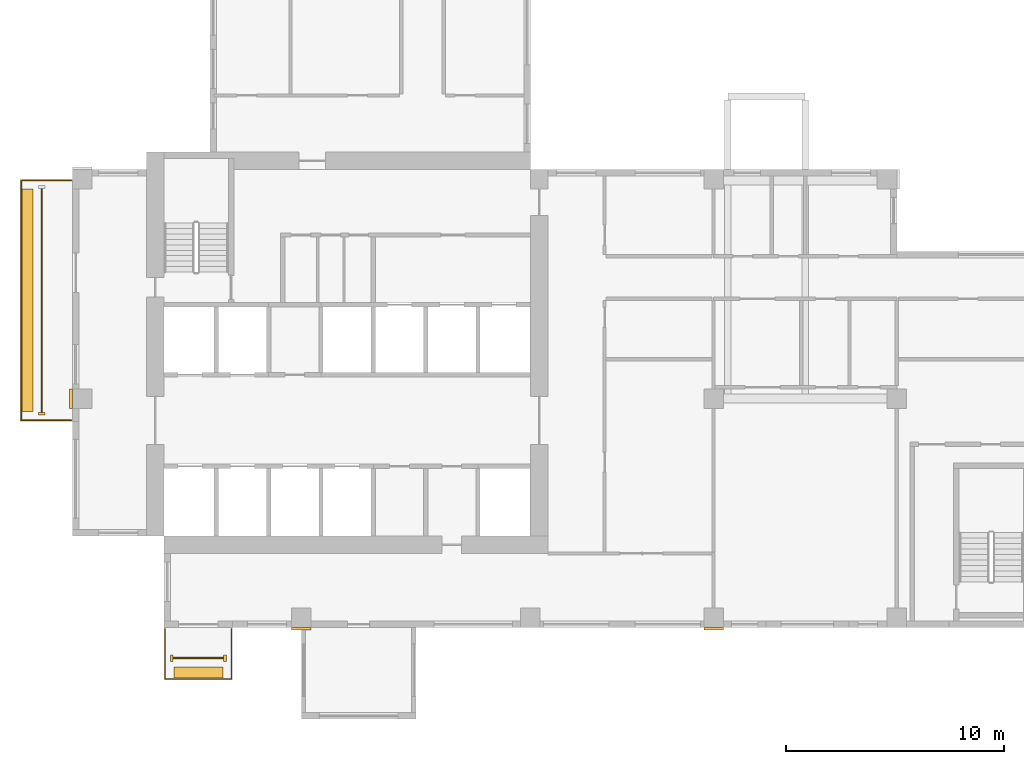
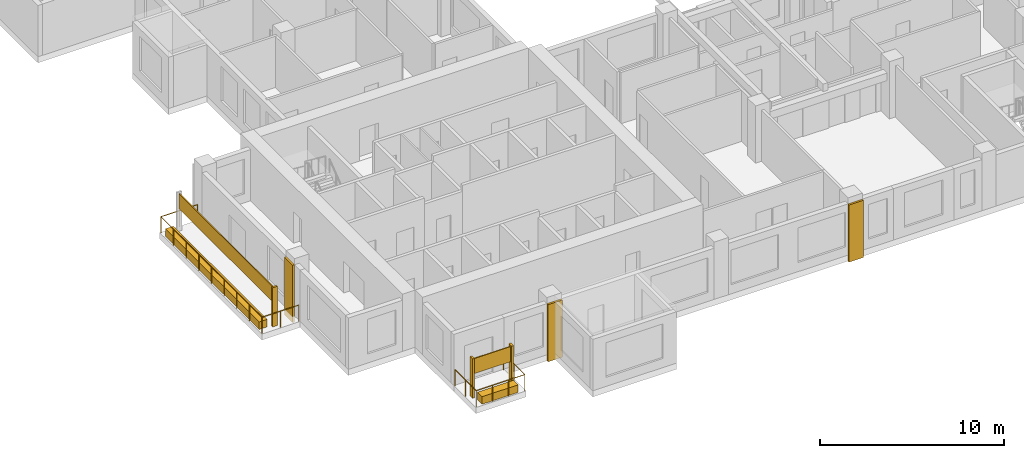
# One storey, part 9 of 12: 10 coverings, 2 railings.
"""IFC4 building model written with IfcOpenShell, lengths in metres."""

from ifc_helpers import new_model, si_unit, direction, frame, origin, origin_2d, place, context, subcontext, project, spatial, rectangle, circle, extrude, source, transform, mapped, material, type_object, element, save


model = new_model("IFC4")

# Units and contexts
model_context = context("Model", 3, precision=1e-05, world=origin(), true_north=direction((0.0, 1.0)))
body_context = subcontext(model_context, "Body", "Model", "MODEL_VIEW")
ifc_project = project(units=[si_unit("LENGTHUNIT", "METRE"), si_unit("AREAUNIT", "SQUARE_METRE"), si_unit("VOLUMEUNIT", "CUBIC_METRE"), si_unit("PLANEANGLEUNIT", "RADIAN"), si_unit("MASSUNIT", "GRAM", prefix="KILO")], contexts=[model_context])

# Site, building, storey
site_placement = place(None, origin())
site = spatial("IfcSite", under=ifc_project, at=site_placement, CompositionType="ELEMENT")
building_placement = place(site_placement, origin())
building = spatial("IfcBuilding", under=site, at=building_placement, Name="Aurelian Terraces", CompositionType="ELEMENT")
storey_placement = place(building_placement, frame((0.0, 0.0, 200.6)))
storey = spatial("IfcBuildingStorey", under=building, at=storey_placement, Name="L44", CompositionType="ELEMENT", Elevation=200.6)

# Coverings
ifc_material_1 = material(Name="Terracotta rainscreen cladding relief", Category="masonry")
covering_type_1 = type_object("IfcCoveringType", Name="FIN-TC", PredefinedType="CLADDING", material=ifc_material_1)
shared_shape_1 = source(origin(), body_context, "Body", "SweptSolid", [
    extrude(rectangle(XDim=0.3, YDim=0.12, at=origin_2d()), origin(), (0.0, 0.0, 1.0), 2.6),
])
covering_1_placement = place(storey_placement, frame((-1.4, 9.8, 0.0), z_axis=(0.0, 0.0, 1.0), x_axis=(1.0, 0.0, 0.0)))
element("IfcCovering", 1, at=covering_1_placement, inside=storey, type_object=covering_type_1, Name="FIN L44 L44-F20-35.2", PredefinedType="CLADDING", context=body_context, shape_type="MappedRepresentation", body=[
    mapped(shared_shape_1, transform((0.0, 0.0, 0.0), scale=1.0)),
])
shared_shape_2 = source(origin(), body_context, "Body", "SweptSolid", [
    extrude(rectangle(XDim=0.12, YDim=0.3, at=origin_2d()), origin(), (0.0, 0.0, 1.0), 2.6),
])
for number, where, z_axis, x_axis, name in (
    (2, (4.55, -1.4, 0.0), (0.0, 0.0, 1.0), (1.0, 0.0, 0.0), "FIN L44 L44-F01-01.1"),
    (3, (7.0, -1.4, 0.0), (0.0, 0.0, 1.0), (1.0, 0.0, 0.0), "FIN L44 L44-F01-01.2"),
):
    element("IfcCovering", number, at=place(storey_placement, frame(where, z_axis=z_axis, x_axis=x_axis)), inside=storey, type_object=covering_type_1, Name=name, PredefinedType="CLADDING", context=body_context, shape_type="MappedRepresentation", body=[
        mapped(shared_shape_2, transform((0.0, 0.0, 0.0), scale=1.0)),
    ])
covering_type_2 = type_object("IfcCoveringType", Name="BAGUETTE-TC", PredefinedType="CLADDING", material=ifc_material_1)
shared_shape_3 = source(origin(), body_context, "Body", "SweptSolid", [
    extrude(rectangle(XDim=0.9, YDim=0.12, at=origin_2d()), origin(), (0.0, 0.0, 1.0), 3.8),
])
for number, where, z_axis, x_axis, name in (
    (4, (10.5, -0.06, -0.4), (0.0, 0.0, 1.0), (1.0, 0.0, 0.0), "BAGUETTE pier L44 1"),
    (5, (29.4, -0.06, -0.4), (0.0, 0.0, 1.0), (1.0, 0.0, 0.0), "BAGUETTE pier L44 2"),
):
    element("IfcCovering", number, at=place(storey_placement, frame(where, z_axis=z_axis, x_axis=x_axis)), inside=storey, type_object=covering_type_2, Name=name, PredefinedType="CLADDING", context=body_context, shape_type="MappedRepresentation", body=[
        mapped(shared_shape_3, transform((0.0, 0.0, 0.0), scale=1.0)),
    ])
shared_shape_4 = source(origin(), body_context, "Body", "SweptSolid", [
    extrude(rectangle(XDim=0.12, YDim=0.9, at=origin_2d()), origin(), (0.0, 0.0, 1.0), 3.8),
])
covering_2_placement = place(storey_placement, frame((-0.06, 10.5, -0.4), z_axis=(0.0, 0.0, 1.0), x_axis=(1.0, 0.0, 0.0)))
element("IfcCovering", 6, at=covering_2_placement, inside=storey, type_object=covering_type_2, Name="BAGUETTE pier L44 4", PredefinedType="CLADDING", context=body_context, shape_type="MappedRepresentation", body=[
    mapped(shared_shape_4, transform((0.0, 0.0, 0.0), scale=1.0)),
])

# Railing
ifc_material_2 = material(Name="Anodised aluminium", Category="aluminium")
railing_type = type_object("IfcRailingType", Name="GUARD-1100", PredefinedType="GUARDRAIL", material=ifc_material_2)
shared_shape_5 = source(origin(), body_context, "Body", "SweptSolid", [
    extrude(circle(Radius=0.024, at=origin_2d()), frame((0.0, 0.0, 1.076), z_axis=(0.0, -1.0, 0.0), x_axis=(1.0, 0.0, 0.0)), (0.0, 0.0, 1.0), 2.3),
    extrude(circle(Radius=0.024, at=origin_2d()), frame((0.0, -2.3, 1.076), z_axis=(1.0, 0.0, 0.0), x_axis=(0.0, 1.0, 0.0)), (0.0, 0.0, 1.0), 3.05),
    extrude(circle(Radius=0.024, at=origin_2d()), frame((3.05, -2.3, 1.076), z_axis=(0.0, 1.0, 0.0), x_axis=(-1.0, 0.0, 0.0)), (0.0, 0.0, 1.0), 2.3),
    extrude(circle(Radius=0.021, at=origin_2d()), origin(), (0.0, 0.0, 1.0), 1.052),
    extrude(circle(Radius=0.021, at=origin_2d()), frame((0.0, -1.15, 0.0)), (0.0, 0.0, 1.0), 1.052),
    extrude(circle(Radius=0.021, at=origin_2d()), frame((0.0, -2.3, 0.0)), (0.0, 0.0, 1.0), 1.052),
    extrude(circle(Radius=0.021, at=origin_2d()), frame((1.0167, -2.3, 0.0)), (0.0, 0.0, 1.0), 1.052),
    extrude(circle(Radius=0.021, at=origin_2d()), frame((2.0333, -2.3, 0.0)), (0.0, 0.0, 1.0), 1.052),
    extrude(circle(Radius=0.021, at=origin_2d()), frame((3.05, -2.3, 0.0)), (0.0, 0.0, 1.0), 1.052),
    extrude(circle(Radius=0.021, at=origin_2d()), frame((3.05, -1.15, 0.0)), (0.0, 0.0, 1.0), 1.052),
    extrude(circle(Radius=0.021, at=origin_2d()), frame((3.05, 0.0, 0.0)), (0.0, 0.0, 1.0), 1.052),
])
railing_1_placement = place(storey_placement, frame((4.25, -0.05, 0.0)))
element("IfcRailing", 7, at=railing_1_placement, inside=storey, type_object=railing_type, Name="Balcony guard L44 F01.1", PredefinedType="GUARDRAIL", context=body_context, shape_type="MappedRepresentation", body=[
    mapped(shared_shape_5, transform((0.0, 0.0, 0.0), scale=1.0)),
])

# Coverings
ifc_material_3 = material(Name="Terracotta planter with planting soil", Category="masonry")
covering_type_3 = type_object("IfcCoveringType", Name="PLANTER-TROUGH", PredefinedType="USERDEFINED", material=ifc_material_3)
shared_shape_6 = source(origin(), body_context, "Body", "SweptSolid", [
    extrude(rectangle(XDim=2.25, YDim=0.5, at=origin_2d()), origin(), (0.0, 0.0, 1.0), 0.5),
])
covering_3_placement = place(storey_placement, frame((5.775, -2.05, 0.0), z_axis=(0.0, 0.0, 1.0), x_axis=(1.0, 0.0, 0.0)))
element("IfcCovering", 8, at=covering_3_placement, inside=storey, type_object=covering_type_3, Name="PLANTER L44 L44-F01-01", ObjectType="PLANTER", PredefinedType="USERDEFINED", context=body_context, shape_type="MappedRepresentation", body=[
    mapped(shared_shape_6, transform((0.0, 0.0, 0.0), scale=1.0)),
])
ifc_material_4 = material(Name="Terracotta rainscreen cladding", Category="masonry")
covering_type_4 = type_object("IfcCoveringType", Name="SCREEN-TC", PredefinedType="CLADDING", material=ifc_material_4)
shared_shape_7 = source(origin(), body_context, "Body", "SweptSolid", [
    extrude(rectangle(XDim=2.33, YDim=0.06, at=origin_2d()), origin(), (0.0, 0.0, 1.0), 1.0),
])
covering_4_placement = place(storey_placement, frame((5.775, -1.4, 1.5), z_axis=(0.0, 0.0, 1.0), x_axis=(1.0, 0.0, 0.0)))
element("IfcCovering", 9, at=covering_4_placement, inside=storey, type_object=covering_type_4, Name="SCREEN L44 L44-F01-01", PredefinedType="CLADDING", context=body_context, shape_type="MappedRepresentation", body=[
    mapped(shared_shape_7, transform((0.0, 0.0, 0.0), scale=1.0)),
])

# Railing
shared_shape_8 = source(origin(), body_context, "Body", "SweptSolid", [
    extrude(circle(Radius=0.024, at=origin_2d()), frame((0.0, 0.0, 1.076), z_axis=(-1.0, 0.0, 0.0), x_axis=(0.0, -1.0, 0.0)), (0.0, 0.0, 1.0), 2.3),
    extrude(circle(Radius=0.024, at=origin_2d()), frame((-2.3, 0.0, 1.076), z_axis=(0.0, -1.0, 0.0), x_axis=(1.0, 0.0, 0.0)), (0.0, 0.0, 1.0), 11.0),
    extrude(circle(Radius=0.024, at=origin_2d()), frame((-2.3, -11.0, 1.076), z_axis=(1.0, 0.0, 0.0), x_axis=(0.0, 1.0, 0.0)), (0.0, 0.0, 1.0), 2.3),
    extrude(circle(Radius=0.021, at=origin_2d()), origin(), (0.0, 0.0, 1.0), 1.052),
    extrude(circle(Radius=0.021, at=origin_2d()), frame((-1.15, 0.0, 0.0)), (0.0, 0.0, 1.0), 1.052),
    extrude(circle(Radius=0.021, at=origin_2d()), frame((-2.3, 0.0, 0.0)), (0.0, 0.0, 1.0), 1.052),
    extrude(circle(Radius=0.021, at=origin_2d()), frame((-2.3, -1.375, 0.0)), (0.0, 0.0, 1.0), 1.052),
    extrude(circle(Radius=0.021, at=origin_2d()), frame((-2.3, -2.75, 0.0)), (0.0, 0.0, 1.0), 1.052),
    extrude(circle(Radius=0.021, at=origin_2d()), frame((-2.3, -4.125, 0.0)), (0.0, 0.0, 1.0), 1.052),
    extrude(circle(Radius=0.021, at=origin_2d()), frame((-2.3, -5.5, 0.0)), (0.0, 0.0, 1.0), 1.052),
    extrude(circle(Radius=0.021, at=origin_2d()), frame((-2.3, -6.875, 0.0)), (0.0, 0.0, 1.0), 1.052),
    extrude(circle(Radius=0.021, at=origin_2d()), frame((-2.3, -8.25, 0.0)), (0.0, 0.0, 1.0), 1.052),
    extrude(circle(Radius=0.021, at=origin_2d()), frame((-2.3, -9.625, 0.0)), (0.0, 0.0, 1.0), 1.052),
    extrude(circle(Radius=0.021, at=origin_2d()), frame((-2.3, -11.0, 0.0)), (0.0, 0.0, 1.0), 1.052),
    extrude(circle(Radius=0.021, at=origin_2d()), frame((-1.15, -11.0, 0.0)), (0.0, 0.0, 1.0), 1.052),
    extrude(circle(Radius=0.021, at=origin_2d()), frame((0.0, -11.0, 0.0)), (0.0, 0.0, 1.0), 1.052),
])
railing_2_placement = place(storey_placement, frame((-0.05, 20.5, 0.0)))
element("IfcRailing", 10, at=railing_2_placement, inside=storey, type_object=railing_type, Name="Balcony guard L44 F20.35", PredefinedType="GUARDRAIL", context=body_context, shape_type="MappedRepresentation", body=[
    mapped(shared_shape_8, transform((0.0, 0.0, 0.0), scale=1.0)),
])

# Coverings
shared_shape_9 = source(origin(), body_context, "Body", "SweptSolid", [
    extrude(rectangle(XDim=0.5, YDim=10.2, at=origin_2d()), origin(), (0.0, 0.0, 1.0), 0.5),
])
covering_5_placement = place(storey_placement, frame((-2.05, 15.0, 0.0), z_axis=(0.0, 0.0, 1.0), x_axis=(1.0, 0.0, 0.0)))
element("IfcCovering", 11, at=covering_5_placement, inside=storey, type_object=covering_type_3, Name="PLANTER L44 L44-F20-35", ObjectType="PLANTER", PredefinedType="USERDEFINED", context=body_context, shape_type="MappedRepresentation", body=[
    mapped(shared_shape_9, transform((0.0, 0.0, 0.0), scale=1.0)),
])
shared_shape_10 = source(origin(), body_context, "Body", "SweptSolid", [
    extrude(rectangle(XDim=0.06, YDim=10.28, at=origin_2d()), origin(), (0.0, 0.0, 1.0), 1.0),
])
covering_6_placement = place(storey_placement, frame((-1.4, 15.0, 1.5), z_axis=(0.0, 0.0, 1.0), x_axis=(1.0, 0.0, 0.0)))
element("IfcCovering", 12, at=covering_6_placement, inside=storey, type_object=covering_type_4, Name="SCREEN L44 L44-F20-35", PredefinedType="CLADDING", context=body_context, shape_type="MappedRepresentation", body=[
    mapped(shared_shape_10, transform((0.0, 0.0, 0.0), scale=1.0)),
])

save(model, "model.ifc")
